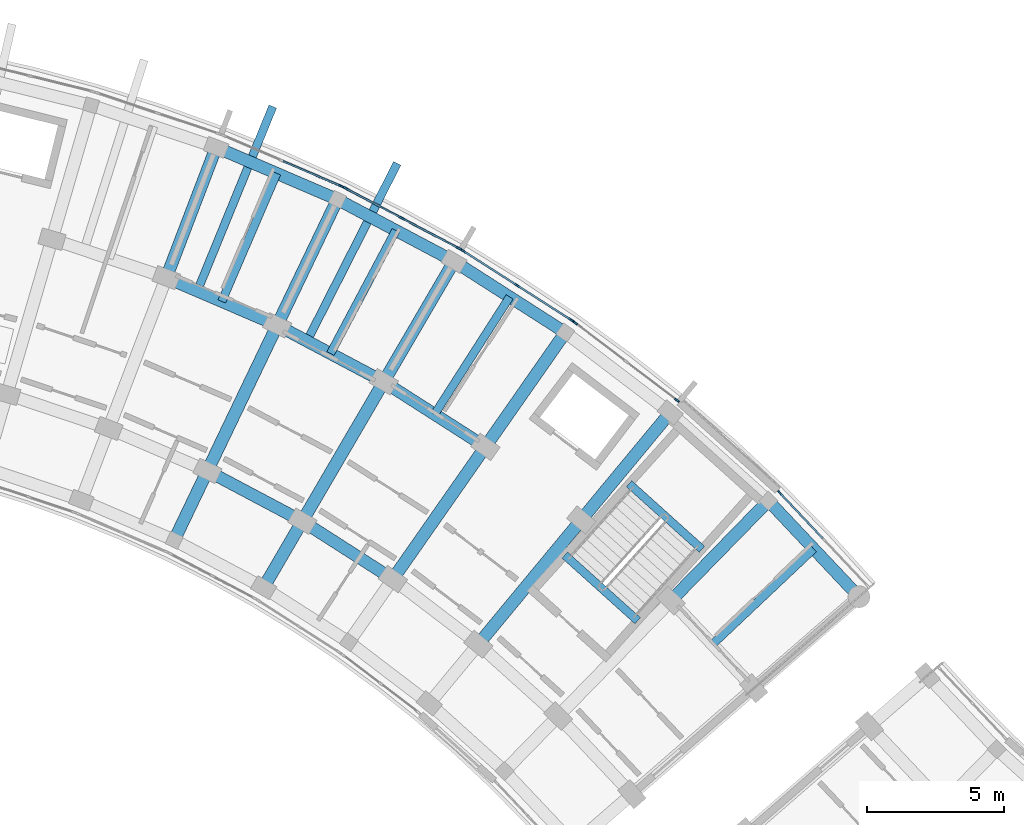
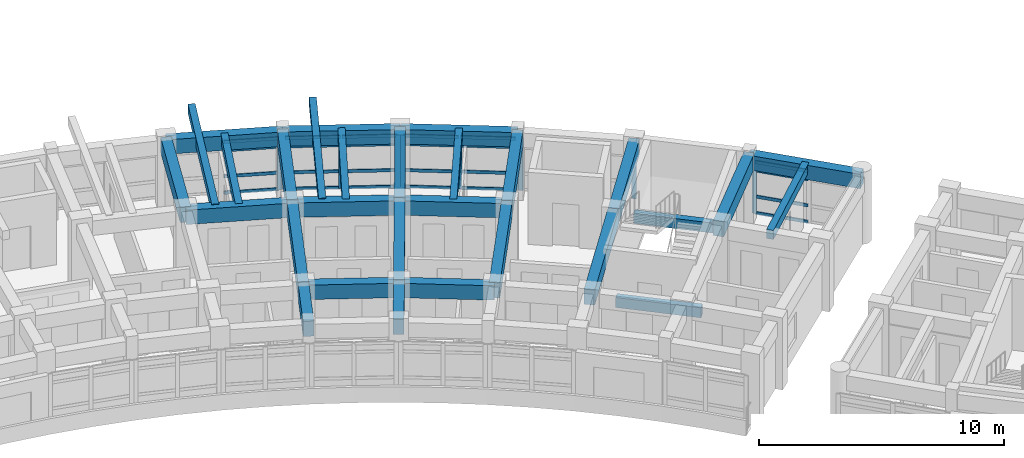
# One storey, part 31 of 83: 34 members, 29 beams, 5 elements without a shape of their own.
"""IFC4 building model written with IfcOpenShell, lengths in metres."""

from ifc_helpers import new_model, si_unit, direction, frame, origin, origin_2d, place, context, subcontext, project, spatial, rectangle, extrude, material, material_profile, profile_set, type_object, element, aggregate, save


model = new_model("IFC4")

# Units and contexts
model_context = context("Model", 3, precision=1e-05, world=origin(), true_north=direction((0.0, 1.0)))
body_context = subcontext(model_context, "Body", "Model", "MODEL_VIEW")
ifc_project = project(units=[si_unit("LENGTHUNIT", "METRE"), si_unit("AREAUNIT", "SQUARE_METRE"), si_unit("VOLUMEUNIT", "CUBIC_METRE"), si_unit("PLANEANGLEUNIT", "RADIAN"), si_unit("MASSUNIT", "GRAM", prefix="KILO")], contexts=[model_context])

# Site, building, storey
site_placement = place(None, origin())
site = spatial("IfcSite", under=ifc_project, at=site_placement, CompositionType="ELEMENT")
building_placement = place(site_placement, origin())
building = spatial("IfcBuilding", under=site, at=building_placement, Name="Zimvara Arc Housing Community", CompositionType="ELEMENT")
storey_placement = place(building_placement, frame((0.0, 0.0, 4.5)))
storey = spatial("IfcBuildingStorey", under=building, at=storey_placement, Name="L01", CompositionType="ELEMENT", Elevation=4.5)

# Beams
ifc_material_1 = material(Name="Concrete C40/50", Category="concrete")
ifc_material_profile_1 = material_profile(ifc_material_1, rectangle(XDim=0.300048828125, YDim=0.449951171875, at=origin_2d()), Name="RC 300x450")
ifc_profile_set_1 = profile_set([ifc_material_profile_1], Name="Concrete C40/50")
beam_type_1 = type_object("IfcBeamType", Name="BM-RC-300x450", PredefinedType="JOIST", material=ifc_profile_set_1)
beam_1_placement = place(storey_placement, frame((66.22802734375, 93.885986328125, 3.135009765625), z_axis=(0.394929109608, 0.918711596958, 0.0), x_axis=(-0.918711596958, 0.394929109608, 0.0)))
element("IfcBeam", 1, at=beam_1_placement, inside=storey, type_object=beam_type_1, Name="bm:blkB:L01:joist:b4", PredefinedType="JOIST", context=body_context, shape_type="SweptSolid", body=[
    extrude(rectangle(XDim=0.300048828125, YDim=0.449951171875, at=origin_2d()), origin(), (0.0, 0.0, 1.0), 5.075927734375),
])
for number, where, z_axis, x_axis, name in (
    (2, (70.186767578125, 91.9892578125, 3.135009765625), (0.46853732736, 0.883443701019, 0.0), (-0.883443701019, 0.46853732736, 0.0), "bm:blkB:L01:joist:b5"),
    (3, (73.9775390625, 89.776123046875, 3.135009765625), (0.539052331508, 0.842272274206, 0.0), (-0.842272274206, 0.539052331508, 0.0), "bm:blkB:L01:joist:b6"),
):
    element("IfcBeam", number, at=place(storey_placement, frame(where, z_axis=z_axis, x_axis=x_axis)), inside=storey, type_object=beam_type_1, Name=name, PredefinedType="JOIST", context=body_context, shape_type="SweptSolid", body=[
        extrude(rectangle(XDim=0.300048828125, YDim=0.449951171875, at=origin_2d()), origin(), (0.0, 0.0, 1.0), 5.07568359375),
    ])
beam_2_placement = place(storey_placement, frame((84.095703125, 81.3935546875, 3.135009765625), z_axis=(0.727299876429, 0.686319815936, 0.0), x_axis=(-0.686319815936, 0.727299876429, 0.0)))
element("IfcBeam", 4, at=beam_2_placement, inside=storey, type_object=beam_type_1, Name="bm:blkB:L01:joist:b9", PredefinedType="JOIST", context=body_context, shape_type="SweptSolid", body=[
    extrude(rectangle(XDim=0.300048828125, YDim=0.449951171875, at=origin_2d()), origin(), (0.0, 0.0, 1.0), 5.075927734375),
])
for number, where, z_axis, x_axis, name in (
    (5, (65.354248046875, 94.301025390625, 3.1650390625), (0.37834711263, 0.925663795535, 0.0), (-0.925663795535, 0.37834711263, 0.0), "bm:blkB:L01:cant_out:b4"),
    (6, (69.349609375, 92.474365234375, 3.1650390625), (0.45261583812, 0.891705614585, 0.0), (-0.891705614585, 0.45261583812, 0.0), "bm:blkB:L01:cant_out:b5"),
):
    element("IfcBeam", number, at=place(storey_placement, frame(where, z_axis=z_axis, x_axis=x_axis)), inside=storey, type_object=beam_type_1, Name=name, PredefinedType="JOIST", context=body_context, shape_type="SweptSolid", body=[
        extrude(rectangle(XDim=0.300048828125, YDim=0.449951171875, at=origin_2d()), origin(), (0.0, 0.0, 1.0), 7.219970703125),
    ])
ifc_material_2 = material(Name="Concrete C40/50", Category="concrete")
ifc_material_profile_2 = material_profile(ifc_material_2, rectangle(XDim=0.300048828125, YDim=0.5, at=origin_2d()), Name="RC 300x500")
ifc_profile_set_2 = profile_set([ifc_material_profile_2], Name="Concrete C40/50")
beam_type_2 = type_object("IfcBeamType", Name="BM-RC-300x500", PredefinedType="BEAM", material=ifc_profile_set_2)
for number, where, z_axis, x_axis, name in (
    (7, (81.375732421875, 82.259033203125, -0.25), (-0.743362151162, 0.668889162881, 0.0), (-0.668889162881, -0.743362151162, 0.0), "bm:stair_trim:ST-B2:L01:near"),
    (8, (83.715576171875, 84.859375, 1.550048828125), (-0.743392745855, 0.668855160262, 0.0), (-0.668855160262, -0.743392745855, 0.0), "bm:stair_trim:ST-B2:L01:mid"),
):
    element("IfcBeam", number, at=place(storey_placement, frame(where, z_axis=z_axis, x_axis=x_axis)), inside=storey, type_object=beam_type_2, Name=name, PredefinedType="BEAM", context=body_context, shape_type="SweptSolid", body=[
        extrude(rectangle(XDim=0.300048828125, YDim=0.5, at=origin_2d()), origin(), (0.0, 0.0, 1.0), 3.570068359375),
    ])
ifc_material_3 = material(Name="Concrete C40/50", Category="concrete")
ifc_material_profile_3 = material_profile(ifc_material_3, rectangle(XDim=0.43994140625, YDim=0.719970703125, at=origin_2d()), Name="RC 440x720")
ifc_profile_set_3 = profile_set([ifc_material_profile_3], Name="Concrete C40/50")
beam_type_3 = type_object("IfcBeamType", Name="BM-RC-440x720", PredefinedType="BEAM", material=ifc_profile_set_3)
beam_3_placement = place(storey_placement, frame((65.70556640625, 87.7158203125, 3.0), z_axis=(0.883438625159, -0.468546897948, 0.0), x_axis=(0.468546897948, 0.883438625159, 0.0)))
element("IfcBeam", 9, at=beam_3_placement, inside=storey, type_object=beam_type_3, Name="bm:blkB:L01:chord:r1:b5", PredefinedType="BEAM", context=body_context, shape_type="SweptSolid", body=[
    extrude(rectangle(XDim=0.43994140625, YDim=0.719970703125, at=origin_2d()), origin(), (0.0, 0.0, 1.0), 3.9130859375),
])
beam_4_placement = place(storey_placement, frame((69.16259765625, 85.88232421875, 3.0), z_axis=(0.842253269878, -0.539082024724, 0.0), x_axis=(0.539082024724, 0.842253269878, 0.0)))
element("IfcBeam", 10, at=beam_4_placement, inside=storey, type_object=beam_type_3, Name="bm:blkB:L01:chord:r1:b6", PredefinedType="BEAM", context=body_context, shape_type="SweptSolid", body=[
    extrude(rectangle(XDim=0.43994140625, YDim=0.719970703125, at=origin_2d()), origin(), (0.0, 0.0, 1.0), 3.912841796875),
])
for number, where, z_axis, x_axis, name in (
    (11, (64.2099609375, 94.75341796875, 3.0), (0.918724840088, -0.394898301093, 0.0), (0.394898301093, 0.918724840088, 0.0), "bm:blkB:L01:chord:r2:b4"),
    (12, (68.24609375, 93.0185546875, 3.0), (0.883456526058, -0.468513144496, 0.0), (0.468513144496, 0.883456526058, 0.0), "bm:blkB:L01:chord:r2:b5"),
    (13, (72.12744140625, 90.960205078125, 3.0), (0.842242131326, -0.539099427025, 0.0), (0.539099427025, 0.842242131326, 0.0), "bm:blkB:L01:chord:r2:b6"),
):
    element("IfcBeam", number, at=place(storey_placement, frame(where, z_axis=z_axis, x_axis=x_axis)), inside=storey, type_object=beam_type_3, Name=name, PredefinedType="BEAM", context=body_context, shape_type="SweptSolid", body=[
        extrude(rectangle(XDim=0.43994140625, YDim=0.719970703125, at=origin_2d()), origin(), (0.0, 0.0, 1.0), 4.393310546875),
    ])
beam_5_placement = place(storey_placement, frame((66.02392578125, 99.49853515625, 3.0), z_axis=(0.918724276228, -0.394899612901, 0.0), x_axis=(0.394899612901, 0.918724276228, 0.0)))
element("IfcBeam", 14, at=beam_5_placement, inside=storey, type_object=beam_type_3, Name="bm:blkB:L01:chord:r3:b4", PredefinedType="BEAM", context=body_context, shape_type="SweptSolid", body=[
    extrude(rectangle(XDim=0.43994140625, YDim=0.719970703125, at=origin_2d()), origin(), (0.0, 0.0, 1.0), 4.80810546875),
])
beam_6_placement = place(storey_placement, frame((70.441162109375, 97.599853515625, 3.0), z_axis=(0.883445542299, -0.468533855546, 0.0), x_axis=(0.468533855546, 0.883445542299, 0.0)))
element("IfcBeam", 15, at=beam_6_placement, inside=storey, type_object=beam_type_3, Name="bm:blkB:L01:chord:r3:b5", PredefinedType="BEAM", context=body_context, shape_type="SweptSolid", body=[
    extrude(rectangle(XDim=0.43994140625, YDim=0.719970703125, at=origin_2d()), origin(), (0.0, 0.0, 1.0), 4.807861328125),
])
beam_7_placement = place(storey_placement, frame((74.688720703125, 95.34716796875, 3.0), z_axis=(0.842255724028, -0.539078190379, 0.0), x_axis=(0.539078190379, 0.842255724028, 0.0)))
element("IfcBeam", 16, at=beam_7_placement, inside=storey, type_object=beam_type_3, Name="bm:blkB:L01:chord:r3:b6", PredefinedType="BEAM", context=body_context, shape_type="SweptSolid", body=[
    extrude(rectangle(XDim=0.43994140625, YDim=0.719970703125, at=origin_2d()), origin(), (0.0, 0.0, 1.0), 4.808349609375),
])
beam_8_placement = place(storey_placement, frame((86.137451171875, 86.625732421875, 3.0), z_axis=(0.6862954451, -0.727322873307, 0.0), x_axis=(0.727322873307, 0.6862954451, 0.0)))
element("IfcBeam", 17, at=beam_8_placement, inside=storey, type_object=beam_type_3, Name="bm:blkB:L01:chord:r3:b9", PredefinedType="BEAM", context=body_context, shape_type="SweptSolid", body=[
    extrude(rectangle(XDim=0.43994140625, YDim=0.719970703125, at=origin_2d()), origin(), (0.0, 0.0, 1.0), 4.80810546875),
])
ifc_material_4 = material(Name="Concrete C40/50", Category="concrete")
ifc_material_profile_4 = material_profile(ifc_material_4, rectangle(XDim=0.449951171875, YDim=0.75, at=origin_2d()), Name="RC 450x750")
ifc_profile_set_4 = profile_set([ifc_material_profile_4], Name="Concrete C40/50")
beam_type_4 = type_object("IfcBeamType", Name="BM-RC-450x750", PredefinedType="BEAM", material=ifc_profile_set_4)
beam_9_placement = place(storey_placement, frame((64.2099609375, 94.75341796875, 2.985107421875), z_axis=(0.357078271386, 0.934074466038, 0.0), x_axis=(-0.934074466038, 0.357078271386, 0.0)))
element("IfcBeam", 18, at=beam_9_placement, inside=storey, type_object=beam_type_4, Name="bm:blkB:L01:rad:b4:r23", PredefinedType="BEAM", context=body_context, shape_type="SweptSolid", body=[
    extrude(rectangle(XDim=0.449951171875, YDim=0.75, at=origin_2d()), origin(), (0.0, 0.0, 1.0), 5.080078125),
])
beam_10_placement = place(storey_placement, frame((64.49560546875, 85.190673828125, 2.985107421875), z_axis=(0.432118703138, 0.901816736593, 0.0), x_axis=(-0.901816736593, 0.432118703138, 0.0)))
element("IfcBeam", 19, at=beam_10_placement, inside=storey, type_object=beam_type_4, Name="bm:blkB:L01:rad:b5:r01", PredefinedType="BEAM", context=body_context, shape_type="SweptSolid", body=[
    extrude(rectangle(XDim=0.449951171875, YDim=0.75, at=origin_2d()), origin(), (0.0, 0.0, 1.0), 2.800048828125),
])
beam_11_placement = place(storey_placement, frame((65.70556640625, 87.7158203125, 2.985107421875), z_axis=(0.432069527705, 0.901840298073, 0.0), x_axis=(-0.901840298073, 0.432069527705, 0.0)))
element("IfcBeam", 20, at=beam_11_placement, inside=storey, type_object=beam_type_4, Name="bm:blkB:L01:rad:b5:r12", PredefinedType="BEAM", context=body_context, shape_type="SweptSolid", body=[
    extrude(rectangle(XDim=0.449951171875, YDim=0.75, at=origin_2d()), origin(), (0.0, 0.0, 1.0), 5.8798828125),
])
beam_12_placement = place(storey_placement, frame((68.24609375, 93.0185546875, 2.985107421875), z_axis=(0.432098194978, 0.901826563091, 0.0), x_axis=(-0.901826563091, 0.432098194978, 0.0)))
element("IfcBeam", 21, at=beam_12_placement, inside=storey, type_object=beam_type_4, Name="bm:blkB:L01:rad:b5:r23", PredefinedType="BEAM", context=body_context, shape_type="SweptSolid", body=[
    extrude(rectangle(XDim=0.449951171875, YDim=0.75, at=origin_2d()), origin(), (0.0, 0.0, 1.0), 5.080078125),
])
beam_13_placement = place(storey_placement, frame((67.750732421875, 83.46435546875, 2.985107421875), z_axis=(0.504239631668, 0.86356377521, 0.0), x_axis=(-0.86356377521, 0.504239631668, 0.0)))
element("IfcBeam", 22, at=beam_13_placement, inside=storey, type_object=beam_type_4, Name="bm:blkB:L01:rad:b6:r01", PredefinedType="BEAM", context=body_context, shape_type="SweptSolid", body=[
    extrude(rectangle(XDim=0.449951171875, YDim=0.75, at=origin_2d()), origin(), (0.0, 0.0, 1.0), 2.800048828125),
])
beam_14_placement = place(storey_placement, frame((69.16259765625, 85.88232421875, 2.985107421875), z_axis=(0.504219494781, 0.863575532934, 0.0), x_axis=(-0.863575532934, 0.504219494781, 0.0)))
element("IfcBeam", 23, at=beam_14_placement, inside=storey, type_object=beam_type_4, Name="bm:blkB:L01:rad:b6:r12", PredefinedType="BEAM", context=body_context, shape_type="SweptSolid", body=[
    extrude(rectangle(XDim=0.449951171875, YDim=0.75, at=origin_2d()), origin(), (0.0, 0.0, 1.0), 5.880126953125),
])
beam_15_placement = place(storey_placement, frame((72.12744140625, 90.960205078125, 2.985107421875), z_axis=(0.504196701544, 0.863588840915, 0.0), x_axis=(-0.863588840915, 0.504196701544, 0.0)))
element("IfcBeam", 24, at=beam_15_placement, inside=storey, type_object=beam_type_4, Name="bm:blkB:L01:rad:b6:r23", PredefinedType="BEAM", context=body_context, shape_type="SweptSolid", body=[
    extrude(rectangle(XDim=0.449951171875, YDim=0.75, at=origin_2d()), origin(), (0.0, 0.0, 1.0), 5.079833984375),
])
beam_16_placement = place(storey_placement, frame((72.458251953125, 83.77294921875, 2.985107421875), z_axis=(0.573027549978, 0.819536104736, 0.0), x_axis=(-0.819536104736, 0.573027549978, 0.0)))
element("IfcBeam", 25, at=beam_16_placement, inside=storey, type_object=beam_type_4, Name="bm:blkB:L01:rad:b7:r12", PredefinedType="BEAM", context=body_context, shape_type="SweptSolid", body=[
    extrude(rectangle(XDim=0.449951171875, YDim=0.75, at=origin_2d()), origin(), (0.0, 0.0, 1.0), 5.8798828125),
])
beam_17_placement = place(storey_placement, frame((75.82763671875, 88.591796875, 2.985107421875), z_axis=(0.573007469479, 0.819550144848, 0.0), x_axis=(-0.819550144848, 0.573007469479, 0.0)))
element("IfcBeam", 26, at=beam_17_placement, inside=storey, type_object=beam_type_4, Name="bm:blkB:L01:rad:b7:r23", PredefinedType="BEAM", context=body_context, shape_type="SweptSolid", body=[
    extrude(rectangle(XDim=0.449951171875, YDim=0.75, at=origin_2d()), origin(), (0.0, 0.0, 1.0), 5.080078125),
])
beam_18_placement = place(storey_placement, frame((75.571044921875, 81.401611328125, 2.985107421875), z_axis=(0.637955964415, 0.770072845559, 0.0), x_axis=(-0.770072845559, 0.637955964415, 0.0)))
element("IfcBeam", 27, at=beam_18_placement, inside=storey, type_object=beam_type_4, Name="bm:blkB:L01:rad:b8:r12", PredefinedType="BEAM", context=body_context, shape_type="SweptSolid", body=[
    extrude(rectangle(XDim=0.449951171875, YDim=0.75, at=origin_2d()), origin(), (0.0, 0.0, 1.0), 5.880126953125),
])
for number, where, z_axis, x_axis, name in (
    (28, (79.322265625, 85.9296875, 2.985107421875), (0.637983669165, 0.77004989311, 0.0), (-0.77004989311, 0.637983669165, 0.0), "bm:blkB:L01:rad:b8:r23"),
    (29, (82.588134765625, 82.9912109375, 2.985107421875), (0.698670885014, 0.71544321538, 0.0), (-0.71544321538, 0.698670885014, 0.0), "bm:blkB:L01:rad:b9:r23"),
):
    element("IfcBeam", number, at=place(storey_placement, frame(where, z_axis=z_axis, x_axis=x_axis)), inside=storey, type_object=beam_type_4, Name=name, PredefinedType="BEAM", context=body_context, shape_type="SweptSolid", body=[
        extrude(rectangle(XDim=0.449951171875, YDim=0.75, at=origin_2d()), origin(), (0.0, 0.0, 1.0), 5.080078125),
    ])

# Curtain wall, member
ifc_material_5 = material(Name="Anodised Aluminium AW-6063", Category="aluminium")
curtain_wall_type_1 = type_object("IfcCurtainWallType", Name="CW-SYS-07", PredefinedType="USERDEFINED", material=ifc_material_5)
curtain_wall_1_placement = place(storey_placement, origin())
curtain_wall_1 = element("IfcCurtainWall", 30, at=curtain_wall_1_placement, inside=storey, type_object=curtain_wall_type_1, Name="cw:blkB:L01:out:b4", ObjectType="CURTAIN WALL", PredefinedType="USERDEFINED")
ifc_material_6 = material(Name="Anodised Aluminium AW-6063", Category="aluminium")
ifc_material_profile_5 = material_profile(ifc_material_6, rectangle(XDim=0.06494140625, YDim=0.195068359375, at=origin_2d()), Name="ALU 65x195")
ifc_profile_set_5 = profile_set([ifc_material_profile_5], Name="Anodised Aluminium AW-6063")
member_type_1 = type_object("IfcMemberType", Name="CWM-65x180", PredefinedType="MULLION", material=ifc_profile_set_5)
member_1_placement = place(storey_placement, frame((70.572265625, 98.08740234375, 0.0), z_axis=(0.0, 0.0, 1.0), x_axis=(0.394904211998, 0.918722299363, 0.0)))
member_1 = element("IfcMember", 31, at=member_1_placement, type_object=member_type_1, Name="CW07 mullion 3", PredefinedType="MULLION", context=body_context, shape_type="SweptSolid", body=[
    extrude(rectangle(XDim=0.06494140625, YDim=0.195068359375, at=origin_2d()), origin(), (0.0, 0.0, 1.0), 2.60009765625),
])

# Curtain wall, members
ifc_material_7 = material(Name="Anodised Aluminium AW-6063", Category="aluminium")
curtain_wall_type_2 = type_object("IfcCurtainWallType", Name="CW-SYS-01", PredefinedType="USERDEFINED", material=ifc_material_7)
curtain_wall_2_placement = place(storey_placement, origin())
curtain_wall_2 = element("IfcCurtainWall", 32, at=curtain_wall_2_placement, inside=storey, type_object=curtain_wall_type_2, Name="cw:blkB:L01:out:b5", ObjectType="CURTAIN WALL", PredefinedType="USERDEFINED")
member_2_placement = place(storey_placement, frame((70.739013671875, 98.007568359375, 0.0), z_axis=(0.0, 0.0, 1.0), x_axis=(0.468546917761, 0.883438614651, 0.0)))
member_2 = element("IfcMember", 33, at=member_2_placement, type_object=member_type_1, Name="CW01 mullion 1", PredefinedType="MULLION", context=body_context, shape_type="SweptSolid", body=[
    extrude(rectangle(XDim=0.06494140625, YDim=0.195068359375, at=origin_2d()), origin(), (0.0, 0.0, 1.0), 2.60009765625),
])
member_3_placement = place(storey_placement, frame((72.799072265625, 96.914794921875, 0.0), z_axis=(0.0, 0.0, 1.0), x_axis=(0.468546917761, 0.883438614651, 0.0)))
member_3 = element("IfcMember", 34, at=member_3_placement, type_object=member_type_1, Name="CW01 mullion 2", PredefinedType="MULLION", context=body_context, shape_type="SweptSolid", body=[
    extrude(rectangle(XDim=0.06494140625, YDim=0.195068359375, at=origin_2d()), origin(), (0.0, 0.0, 1.0), 2.60009765625),
])
member_4_placement = place(storey_placement, frame((74.859130859375, 95.822265625, 0.0), z_axis=(0.0, 0.0, 1.0), x_axis=(0.468546917761, 0.883438614651, 0.0)))
member_4 = element("IfcMember", 35, at=member_4_placement, type_object=member_type_1, Name="CW01 mullion 3", PredefinedType="MULLION", context=body_context, shape_type="SweptSolid", body=[
    extrude(rectangle(XDim=0.06494140625, YDim=0.195068359375, at=origin_2d()), origin(), (0.0, 0.0, 1.0), 2.60009765625),
])

ifc_material_8 = material(Name="Anodised Aluminium AW-6063", Category="aluminium")
curtain_wall_type_3 = type_object("IfcCurtainWallType", Name="CW-SYS-03", PredefinedType="USERDEFINED", material=ifc_material_8)
curtain_wall_3_placement = place(storey_placement, origin())
curtain_wall_3 = element("IfcCurtainWall", 36, at=curtain_wall_3_placement, inside=storey, type_object=curtain_wall_type_3, Name="cw:blkB:L01:out:b6", ObjectType="CURTAIN WALL", PredefinedType="USERDEFINED")
member_5_placement = place(storey_placement, frame((75.018798828125, 95.72900390625, 0.0), z_axis=(0.0, 0.0, 1.0), x_axis=(0.539064617721, 0.842264410931, 0.0)))
member_5 = element("IfcMember", 37, at=member_5_placement, type_object=member_type_1, Name="CW03 mullion 1", PredefinedType="MULLION", context=body_context, shape_type="SweptSolid", body=[
    extrude(rectangle(XDim=0.06494140625, YDim=0.195068359375, at=origin_2d()), origin(), (0.0, 0.0, 1.0), 2.60009765625),
])
member_6_placement = place(storey_placement, frame((76.98291015625, 94.471923828125, 0.0), z_axis=(0.0, 0.0, 1.0), x_axis=(0.539064617721, 0.842264410931, 0.0)))
member_6 = element("IfcMember", 38, at=member_6_placement, type_object=member_type_1, Name="CW03 mullion 2", PredefinedType="MULLION", context=body_context, shape_type="SweptSolid", body=[
    extrude(rectangle(XDim=0.06494140625, YDim=0.195068359375, at=origin_2d()), origin(), (0.0, 0.0, 1.0), 2.60009765625),
])
member_7_placement = place(storey_placement, frame((78.947021484375, 93.21484375, 0.0), z_axis=(0.0, 0.0, 1.0), x_axis=(0.539064617721, 0.842264410931, 0.0)))
member_7 = element("IfcMember", 39, at=member_7_placement, type_object=member_type_1, Name="CW03 mullion 3", PredefinedType="MULLION", context=body_context, shape_type="SweptSolid", body=[
    extrude(rectangle(XDim=0.06494140625, YDim=0.195068359375, at=origin_2d()), origin(), (0.0, 0.0, 1.0), 2.60009765625),
])

ifc_material_9 = material(Name="Anodised Aluminium AW-6063", Category="aluminium")
curtain_wall_type_4 = type_object("IfcCurtainWallType", Name="CW-SYS-05", PredefinedType="USERDEFINED", material=ifc_material_9)
curtain_wall_4_placement = place(storey_placement, origin())
curtain_wall_4 = element("IfcCurtainWall", 40, at=curtain_wall_4_placement, inside=storey, type_object=curtain_wall_type_4, Name="cw:blkB:L01:out:b7", ObjectType="CURTAIN WALL", PredefinedType="USERDEFINED")
member_8_placement = place(storey_placement, frame((79.0986328125, 93.10888671875, 0.0), z_axis=(0.0, 0.0, 1.0), x_axis=(0.60598771987, 0.795473999177, 0.0)))
member_8 = element("IfcMember", 41, at=member_8_placement, type_object=member_type_1, Name="CW05 mullion 1", PredefinedType="MULLION", context=body_context, shape_type="SweptSolid", body=[
    extrude(rectangle(XDim=0.06494140625, YDim=0.195068359375, at=origin_2d()), origin(), (0.0, 0.0, 1.0), 2.60009765625),
])
member_9_placement = place(storey_placement, frame((82.80859375, 90.28271484375, 0.0), z_axis=(0.0, 0.0, 1.0), x_axis=(0.60598771987, 0.795473999177, 0.0)))
member_9 = element("IfcMember", 42, at=member_9_placement, type_object=member_type_1, Name="CW05 mullion 3", PredefinedType="MULLION", context=body_context, shape_type="SweptSolid", body=[
    extrude(rectangle(XDim=0.06494140625, YDim=0.195068359375, at=origin_2d()), origin(), (0.0, 0.0, 1.0), 2.60009765625),
])
aggregate(curtain_wall_4, [member_8, member_9])

# Curtain wall, member
curtain_wall_5_placement = place(storey_placement, origin())
curtain_wall_5 = element("IfcCurtainWall", 43, at=curtain_wall_5_placement, inside=storey, type_object=curtain_wall_type_1, Name="cw:blkB:L01:out:b9", ObjectType="CURTAIN WALL", PredefinedType="USERDEFINED")
member_10_placement = place(storey_placement, frame((86.55029296875, 86.916015625, 0.0), z_axis=(0.0, 0.0, 1.0), x_axis=(0.727293647725, 0.686326416495, 0.0)))
member_10 = element("IfcMember", 44, at=member_10_placement, type_object=member_type_1, Name="CW07 mullion 1", PredefinedType="MULLION", context=body_context, shape_type="SweptSolid", body=[
    extrude(rectangle(XDim=0.06494140625, YDim=0.195068359375, at=origin_2d()), origin(), (0.0, 0.0, 1.0), 2.60009765625),
])

# Member
ifc_material_10 = material(Name="Anodised Aluminium AW-6063", Category="aluminium")
ifc_material_profile_6 = material_profile(ifc_material_10, rectangle(XDim=0.06494140625, YDim=0.155029296875, at=origin_2d()), Name="ALU 65x155")
ifc_profile_set_6 = profile_set([ifc_material_profile_6], Name="Anodised Aluminium AW-6063")
member_type_2 = type_object("IfcMemberType", Name="CWT-65x140", PredefinedType="USERDEFINED", material=ifc_profile_set_6)
member_11_placement = place(storey_placement, frame((68.459716796875, 98.995361328125, 0.032470703125), z_axis=(0.918721157939, -0.394906867444, 0.0), x_axis=(0.394906867444, 0.918721157939, 0.0)))
member_11 = element("IfcMember", 45, at=member_11_placement, type_object=member_type_2, Name="CW07 transom 2.1", ObjectType="TRANSOM", PredefinedType="USERDEFINED", context=body_context, shape_type="SweptSolid", body=[
    extrude(rectangle(XDim=0.06494140625, YDim=0.155029296875, at=origin_2d()), origin(), (0.0, 0.0, 1.0), 2.26708984375),
])

member_12_placement = place(storey_placement, frame((68.459716796875, 98.995361328125, 0.85009765625), z_axis=(0.918721157939, -0.394906867444, 0.0), x_axis=(0.394906867444, 0.918721157939, 0.0)))
member_12 = element("IfcMember", 46, at=member_12_placement, type_object=member_type_2, Name="CW07 transom 2.2", ObjectType="TRANSOM", PredefinedType="USERDEFINED", context=body_context, shape_type="SweptSolid", body=[
    extrude(rectangle(XDim=0.06494140625, YDim=0.155029296875, at=origin_2d()), origin(), (0.0, 0.0, 1.0), 2.26708984375),
])

member_13_placement = place(storey_placement, frame((68.459716796875, 98.995361328125, 2.14990234375), z_axis=(0.918721157939, -0.394906867444, 0.0), x_axis=(0.394906867444, 0.918721157939, 0.0)))
member_13 = element("IfcMember", 47, at=member_13_placement, type_object=member_type_2, Name="CW07 transom 2.3", ObjectType="TRANSOM", PredefinedType="USERDEFINED", context=body_context, shape_type="SweptSolid", body=[
    extrude(rectangle(XDim=0.06494140625, YDim=0.155029296875, at=origin_2d()), origin(), (0.0, 0.0, 1.0), 2.26708984375),
])

member_14_placement = place(storey_placement, frame((68.459716796875, 98.995361328125, 2.5673828125), z_axis=(0.918721157939, -0.394906867444, 0.0), x_axis=(0.394906867444, 0.918721157939, 0.0)))
member_14 = element("IfcMember", 48, at=member_14_placement, type_object=member_type_2, Name="CW07 transom 2.4", ObjectType="TRANSOM", PredefinedType="USERDEFINED", context=body_context, shape_type="SweptSolid", body=[
    extrude(rectangle(XDim=0.06494140625, YDim=0.155029296875, at=origin_2d()), origin(), (0.0, 0.0, 1.0), 2.26708984375),
])

aggregate(curtain_wall_1, [member_1, member_11, member_12, member_13, member_14])

member_15_placement = place(storey_placement, frame((70.767578125, 97.9921875, 0.032470703125), z_axis=(0.883489114766, -0.468451688107, 0.0), x_axis=(0.468451688107, 0.883489114766, 0.0)))
member_15 = element("IfcMember", 49, at=member_15_placement, type_object=member_type_2, Name="CW01 transom 1.1", ObjectType="TRANSOM", PredefinedType="USERDEFINED", context=body_context, shape_type="SweptSolid", body=[
    extrude(rectangle(XDim=0.06494140625, YDim=0.155029296875, at=origin_2d()), origin(), (0.0, 0.0, 1.0), 2.26708984375),
])

member_16_placement = place(storey_placement, frame((70.767578125, 97.9921875, 0.85009765625), z_axis=(0.883489114766, -0.468451688107, 0.0), x_axis=(0.468451688107, 0.883489114766, 0.0)))
member_16 = element("IfcMember", 50, at=member_16_placement, type_object=member_type_2, Name="CW01 transom 1.2", ObjectType="TRANSOM", PredefinedType="USERDEFINED", context=body_context, shape_type="SweptSolid", body=[
    extrude(rectangle(XDim=0.06494140625, YDim=0.155029296875, at=origin_2d()), origin(), (0.0, 0.0, 1.0), 2.26708984375),
])

member_17_placement = place(storey_placement, frame((70.767578125, 97.9921875, 2.14990234375), z_axis=(0.883489114766, -0.468451688107, 0.0), x_axis=(0.468451688107, 0.883489114766, 0.0)))
member_17 = element("IfcMember", 51, at=member_17_placement, type_object=member_type_2, Name="CW01 transom 1.3", ObjectType="TRANSOM", PredefinedType="USERDEFINED", context=body_context, shape_type="SweptSolid", body=[
    extrude(rectangle(XDim=0.06494140625, YDim=0.155029296875, at=origin_2d()), origin(), (0.0, 0.0, 1.0), 2.26708984375),
])

member_18_placement = place(storey_placement, frame((70.767578125, 97.9921875, 2.5673828125), z_axis=(0.883489114766, -0.468451688107, 0.0), x_axis=(0.468451688107, 0.883489114766, 0.0)))
member_18 = element("IfcMember", 52, at=member_18_placement, type_object=member_type_2, Name="CW01 transom 1.4", ObjectType="TRANSOM", PredefinedType="USERDEFINED", context=body_context, shape_type="SweptSolid", body=[
    extrude(rectangle(XDim=0.06494140625, YDim=0.155029296875, at=origin_2d()), origin(), (0.0, 0.0, 1.0), 2.26708984375),
])

member_19_placement = place(storey_placement, frame((72.827880859375, 96.899658203125, 0.032470703125), z_axis=(0.883420900208, -0.468580316568, 0.0), x_axis=(0.468580316568, 0.883420900208, 0.0)))
member_19 = element("IfcMember", 53, at=member_19_placement, type_object=member_type_2, Name="CW01 transom 2.1", ObjectType="TRANSOM", PredefinedType="USERDEFINED", context=body_context, shape_type="SweptSolid", body=[
    extrude(rectangle(XDim=0.06494140625, YDim=0.155029296875, at=origin_2d()), origin(), (0.0, 0.0, 1.0), 2.266845703125),
])

member_20_placement = place(storey_placement, frame((72.827880859375, 96.899658203125, 0.85009765625), z_axis=(0.883420900208, -0.468580316568, 0.0), x_axis=(0.468580316568, 0.883420900208, 0.0)))
member_20 = element("IfcMember", 54, at=member_20_placement, type_object=member_type_2, Name="CW01 transom 2.2", ObjectType="TRANSOM", PredefinedType="USERDEFINED", context=body_context, shape_type="SweptSolid", body=[
    extrude(rectangle(XDim=0.06494140625, YDim=0.155029296875, at=origin_2d()), origin(), (0.0, 0.0, 1.0), 2.266845703125),
])

member_21_placement = place(storey_placement, frame((72.827880859375, 96.899658203125, 2.14990234375), z_axis=(0.883420900208, -0.468580316568, 0.0), x_axis=(0.468580316568, 0.883420900208, 0.0)))
member_21 = element("IfcMember", 55, at=member_21_placement, type_object=member_type_2, Name="CW01 transom 2.3", ObjectType="TRANSOM", PredefinedType="USERDEFINED", context=body_context, shape_type="SweptSolid", body=[
    extrude(rectangle(XDim=0.06494140625, YDim=0.155029296875, at=origin_2d()), origin(), (0.0, 0.0, 1.0), 2.266845703125),
])

member_22_placement = place(storey_placement, frame((72.827880859375, 96.899658203125, 2.5673828125), z_axis=(0.883420900208, -0.468580316568, 0.0), x_axis=(0.468580316568, 0.883420900208, 0.0)))
member_22 = element("IfcMember", 56, at=member_22_placement, type_object=member_type_2, Name="CW01 transom 2.4", ObjectType="TRANSOM", PredefinedType="USERDEFINED", context=body_context, shape_type="SweptSolid", body=[
    extrude(rectangle(XDim=0.06494140625, YDim=0.155029296875, at=origin_2d()), origin(), (0.0, 0.0, 1.0), 2.266845703125),
])

aggregate(curtain_wall_2, [member_2, member_3, member_4, member_15, member_16, member_17, member_18, member_19, member_20, member_21, member_22])

member_23_placement = place(storey_placement, frame((75.046142578125, 95.71142578125, 0.032470703125), z_axis=(0.842292914806, -0.539020079095, 0.0), x_axis=(0.539020079095, 0.842292914806, 0.0)))
member_23 = element("IfcMember", 57, at=member_23_placement, type_object=member_type_2, Name="CW03 transom 1.1", ObjectType="TRANSOM", PredefinedType="USERDEFINED", context=body_context, shape_type="SweptSolid", body=[
    extrude(rectangle(XDim=0.06494140625, YDim=0.155029296875, at=origin_2d()), origin(), (0.0, 0.0, 1.0), 2.266845703125),
])

member_24_placement = place(storey_placement, frame((75.046142578125, 95.71142578125, 0.85009765625), z_axis=(0.842292914806, -0.539020079095, 0.0), x_axis=(0.539020079095, 0.842292914806, 0.0)))
member_24 = element("IfcMember", 58, at=member_24_placement, type_object=member_type_2, Name="CW03 transom 1.2", ObjectType="TRANSOM", PredefinedType="USERDEFINED", context=body_context, shape_type="SweptSolid", body=[
    extrude(rectangle(XDim=0.06494140625, YDim=0.155029296875, at=origin_2d()), origin(), (0.0, 0.0, 1.0), 2.266845703125),
])

member_25_placement = place(storey_placement, frame((75.046142578125, 95.71142578125, 2.14990234375), z_axis=(0.842292914806, -0.539020079095, 0.0), x_axis=(0.539020079095, 0.842292914806, 0.0)))
member_25 = element("IfcMember", 59, at=member_25_placement, type_object=member_type_2, Name="CW03 transom 1.3", ObjectType="TRANSOM", PredefinedType="USERDEFINED", context=body_context, shape_type="SweptSolid", body=[
    extrude(rectangle(XDim=0.06494140625, YDim=0.155029296875, at=origin_2d()), origin(), (0.0, 0.0, 1.0), 2.266845703125),
])

member_26_placement = place(storey_placement, frame((75.046142578125, 95.71142578125, 2.5673828125), z_axis=(0.842292914806, -0.539020079095, 0.0), x_axis=(0.539020079095, 0.842292914806, 0.0)))
member_26 = element("IfcMember", 60, at=member_26_placement, type_object=member_type_2, Name="CW03 transom 1.4", ObjectType="TRANSOM", PredefinedType="USERDEFINED", context=body_context, shape_type="SweptSolid", body=[
    extrude(rectangle(XDim=0.06494140625, YDim=0.155029296875, at=origin_2d()), origin(), (0.0, 0.0, 1.0), 2.266845703125),
])

member_27_placement = place(storey_placement, frame((77.01025390625, 94.454345703125, 0.032470703125), z_axis=(0.842292914806, -0.539020079095, 0.0), x_axis=(0.539020079095, 0.842292914806, 0.0)))
member_27 = element("IfcMember", 61, at=member_27_placement, type_object=member_type_2, Name="CW03 transom 2.1", ObjectType="TRANSOM", PredefinedType="USERDEFINED", context=body_context, shape_type="SweptSolid", body=[
    extrude(rectangle(XDim=0.06494140625, YDim=0.155029296875, at=origin_2d()), origin(), (0.0, 0.0, 1.0), 2.266845703125),
])

member_28_placement = place(storey_placement, frame((77.01025390625, 94.454345703125, 0.85009765625), z_axis=(0.842292914806, -0.539020079095, 0.0), x_axis=(0.539020079095, 0.842292914806, 0.0)))
member_28 = element("IfcMember", 62, at=member_28_placement, type_object=member_type_2, Name="CW03 transom 2.2", ObjectType="TRANSOM", PredefinedType="USERDEFINED", context=body_context, shape_type="SweptSolid", body=[
    extrude(rectangle(XDim=0.06494140625, YDim=0.155029296875, at=origin_2d()), origin(), (0.0, 0.0, 1.0), 2.266845703125),
])

member_29_placement = place(storey_placement, frame((77.01025390625, 94.454345703125, 2.14990234375), z_axis=(0.842292914806, -0.539020079095, 0.0), x_axis=(0.539020079095, 0.842292914806, 0.0)))
member_29 = element("IfcMember", 63, at=member_29_placement, type_object=member_type_2, Name="CW03 transom 2.3", ObjectType="TRANSOM", PredefinedType="USERDEFINED", context=body_context, shape_type="SweptSolid", body=[
    extrude(rectangle(XDim=0.06494140625, YDim=0.155029296875, at=origin_2d()), origin(), (0.0, 0.0, 1.0), 2.266845703125),
])

member_30_placement = place(storey_placement, frame((77.01025390625, 94.454345703125, 2.5673828125), z_axis=(0.842292914806, -0.539020079095, 0.0), x_axis=(0.539020079095, 0.842292914806, 0.0)))
member_30 = element("IfcMember", 64, at=member_30_placement, type_object=member_type_2, Name="CW03 transom 2.4", ObjectType="TRANSOM", PredefinedType="USERDEFINED", context=body_context, shape_type="SweptSolid", body=[
    extrude(rectangle(XDim=0.06494140625, YDim=0.155029296875, at=origin_2d()), origin(), (0.0, 0.0, 1.0), 2.266845703125),
])

aggregate(curtain_wall_3, [member_5, member_6, member_7, member_23, member_24, member_25, member_26, member_27, member_28, member_29, member_30])

member_31_placement = place(storey_placement, frame((86.572509765625, 86.892333984375, 0.032470703125), z_axis=(0.686348357589, -0.727272941911, 0.0), x_axis=(0.727272941911, 0.686348357589, 0.0)))
member_31 = element("IfcMember", 65, at=member_31_placement, type_object=member_type_2, Name="CW07 transom 1.1", ObjectType="TRANSOM", PredefinedType="USERDEFINED", context=body_context, shape_type="SweptSolid", body=[
    extrude(rectangle(XDim=0.06494140625, YDim=0.155029296875, at=origin_2d()), origin(), (0.0, 0.0, 1.0), 2.266845703125),
])

member_32_placement = place(storey_placement, frame((86.572509765625, 86.892333984375, 0.85009765625), z_axis=(0.686348357589, -0.727272941911, 0.0), x_axis=(0.727272941911, 0.686348357589, 0.0)))
member_32 = element("IfcMember", 66, at=member_32_placement, type_object=member_type_2, Name="CW07 transom 1.2", ObjectType="TRANSOM", PredefinedType="USERDEFINED", context=body_context, shape_type="SweptSolid", body=[
    extrude(rectangle(XDim=0.06494140625, YDim=0.155029296875, at=origin_2d()), origin(), (0.0, 0.0, 1.0), 2.266845703125),
])

member_33_placement = place(storey_placement, frame((86.572509765625, 86.892333984375, 2.14990234375), z_axis=(0.686348357589, -0.727272941911, 0.0), x_axis=(0.727272941911, 0.686348357589, 0.0)))
member_33 = element("IfcMember", 67, at=member_33_placement, type_object=member_type_2, Name="CW07 transom 1.3", ObjectType="TRANSOM", PredefinedType="USERDEFINED", context=body_context, shape_type="SweptSolid", body=[
    extrude(rectangle(XDim=0.06494140625, YDim=0.155029296875, at=origin_2d()), origin(), (0.0, 0.0, 1.0), 2.266845703125),
])

member_34_placement = place(storey_placement, frame((86.572509765625, 86.892333984375, 2.5673828125), z_axis=(0.686348357589, -0.727272941911, 0.0), x_axis=(0.727272941911, 0.686348357589, 0.0)))
member_34 = element("IfcMember", 68, at=member_34_placement, type_object=member_type_2, Name="CW07 transom 1.4", ObjectType="TRANSOM", PredefinedType="USERDEFINED", context=body_context, shape_type="SweptSolid", body=[
    extrude(rectangle(XDim=0.06494140625, YDim=0.155029296875, at=origin_2d()), origin(), (0.0, 0.0, 1.0), 2.266845703125),
])

aggregate(curtain_wall_5, [member_10, member_31, member_32, member_33, member_34])

save(model, "model.ifc")
